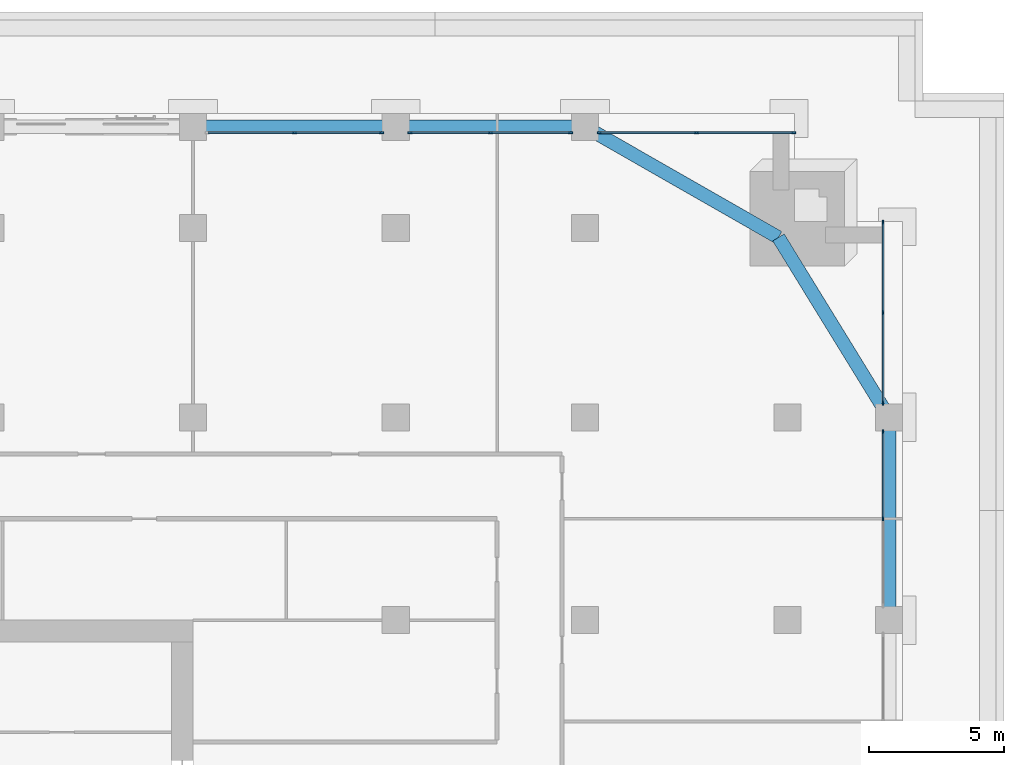
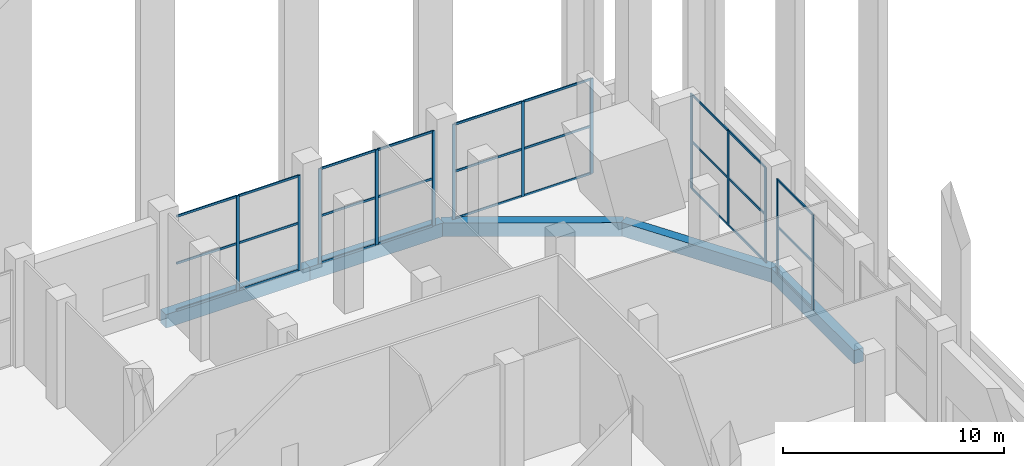
# One storey, part 9 of 23: 40 members, 5 beams, 5 elements without a shape of their own.
"""IFC4 building model written with IfcOpenShell, lengths in metres."""

from ifc_helpers import new_model, si_unit, direction, frame, origin, origin_2d, place, context, subcontext, project, spatial, rectangle, extrude, material, layer, layer_set, material_profile, profile_set, type_object, element, aggregate, save


model = new_model("IFC4")

# Units and contexts
model_context = context("Model", 3, precision=1e-05, world=origin(), true_north=direction((0.0, 1.0)))
body_context = subcontext(model_context, "Body", "Model", "MODEL_VIEW")
ifc_project = project(units=[si_unit("LENGTHUNIT", "METRE"), si_unit("AREAUNIT", "SQUARE_METRE"), si_unit("VOLUMEUNIT", "CUBIC_METRE"), si_unit("PLANEANGLEUNIT", "RADIAN"), si_unit("MASSUNIT", "GRAM", prefix="KILO")], contexts=[model_context])

# Site, building, storey
site_placement = place(None, origin())
site = spatial("IfcSite", under=ifc_project, at=site_placement, CompositionType="ELEMENT")
building_placement = place(site_placement, origin())
building = spatial("IfcBuilding", under=site, at=building_placement, Name="Tamorin Gate", CompositionType="ELEMENT")
storey_placement = place(building_placement, frame((0.0, 0.0, 124.199951171875)))
storey = spatial("IfcBuildingStorey", under=building, at=storey_placement, Name="L30", CompositionType="ELEMENT", Elevation=124.199951171875)

# Curtain wall, members
ifc_material_1 = material(Name="Aluminium mullions and transoms with clear glass", Category="aluminium")
ifc_layer = layer(ifc_material_1, 0.159912109375)
ifc_layer_set = layer_set([ifc_layer], Name="Curtain wall system CW1")
curtain_wall_type = type_object("IfcCurtainWallType", Name="Curtain wall system CW1", PredefinedType="NOTDEFINED", material=ifc_layer_set)
curtain_wall_1_placement = place(storey_placement, origin())
curtain_wall_1 = element("IfcCurtainWall", 1, at=curtain_wall_1_placement, inside=storey, type_object=curtain_wall_type, Name="Curtain wall", PredefinedType="NOTDEFINED")
ifc_material_2 = material(Name="Aluminium", Category="aluminium")
ifc_material_profile_1 = material_profile(ifc_material_2, rectangle(XDim=0.06005859375, YDim=0.159912109375, at=origin_2d()), Name="RECT 60x160")
ifc_profile_set_1 = profile_set([ifc_material_profile_1], Name="Aluminium")
member_type_1 = type_object("IfcMemberType", Name="Aluminium mullion 60x160", PredefinedType="MULLION", material=ifc_profile_set_1)
member_1_placement = place(storey_placement, frame((85.530029296875, 86.25, 0.0), z_axis=(0.0, 0.0, 1.0), x_axis=(-1.0, 0.0, 0.0)))
member_1 = element("IfcMember", 2, at=member_1_placement, type_object=member_type_1, Name="CW1 mullion 2", PredefinedType="MULLION", context=body_context, shape_type="SweptSolid", body=[
    extrude(rectangle(XDim=0.06005859375, YDim=0.159912109375, at=origin_2d()), origin(), (0.0, 0.0, 1.0), 5.25),
])
member_2_placement = place(storey_placement, frame((85.530029296875, 89.469970703125, 0.0), z_axis=(0.0, 0.0, 1.0), x_axis=(-1.0, 0.0, 0.0)))
member_2 = element("IfcMember", 3, at=member_2_placement, type_object=member_type_1, Name="CW1 mullion 3", PredefinedType="MULLION", context=body_context, shape_type="SweptSolid", body=[
    extrude(rectangle(XDim=0.06005859375, YDim=0.159912109375, at=origin_2d()), origin(), (0.0, 0.0, 1.0), 5.25),
])

curtain_wall_2_placement = place(storey_placement, origin())
curtain_wall_2 = element("IfcCurtainWall", 4, at=curtain_wall_2_placement, inside=storey, type_object=curtain_wall_type, Name="Curtain wall", PredefinedType="NOTDEFINED")
member_3_placement = place(storey_placement, frame((85.530029296875, 90.530029296875, 0.0), z_axis=(0.0, 0.0, 1.0), x_axis=(-1.0, 0.0, 0.0)))
member_3 = element("IfcMember", 5, at=member_3_placement, type_object=member_type_1, Name="CW1 mullion 1", PredefinedType="MULLION", context=body_context, shape_type="SweptSolid", body=[
    extrude(rectangle(XDim=0.06005859375, YDim=0.159912109375, at=origin_2d()), origin(), (0.0, 0.0, 1.0), 5.25),
])
member_4_placement = place(storey_placement, frame((85.530029296875, 93.875, 0.0), z_axis=(0.0, 0.0, 1.0), x_axis=(-1.0, 0.0, 0.0)))
member_4 = element("IfcMember", 6, at=member_4_placement, type_object=member_type_1, Name="CW1 mullion 2", PredefinedType="MULLION", context=body_context, shape_type="SweptSolid", body=[
    extrude(rectangle(XDim=0.06005859375, YDim=0.159912109375, at=origin_2d()), origin(), (0.0, 0.0, 1.0), 5.25),
])
member_5_placement = place(storey_placement, frame((85.530029296875, 97.219970703125, 0.0), z_axis=(0.0, 0.0, 1.0), x_axis=(-1.0, 0.0, 0.0)))
member_5 = element("IfcMember", 7, at=member_5_placement, type_object=member_type_1, Name="CW1 mullion 3", PredefinedType="MULLION", context=body_context, shape_type="SweptSolid", body=[
    extrude(rectangle(XDim=0.06005859375, YDim=0.159912109375, at=origin_2d()), origin(), (0.0, 0.0, 1.0), 5.25),
])

curtain_wall_3_placement = place(storey_placement, origin())
curtain_wall_3 = element("IfcCurtainWall", 8, at=curtain_wall_3_placement, inside=storey, type_object=curtain_wall_type, Name="Curtain wall", PredefinedType="NOTDEFINED")
member_6_placement = place(storey_placement, frame((82.219970703125, 100.530029296875, 0.0), z_axis=(0.0, 0.0, 1.0), x_axis=(0.0, -1.0, 0.0)))
member_6 = element("IfcMember", 9, at=member_6_placement, type_object=member_type_1, Name="CW1 mullion 1", PredefinedType="MULLION", context=body_context, shape_type="SweptSolid", body=[
    extrude(rectangle(XDim=0.06005859375, YDim=0.159912109375, at=origin_2d()), origin(), (0.0, 0.0, 1.0), 5.25),
])
member_7_placement = place(storey_placement, frame((78.625, 100.530029296875, 0.0), z_axis=(0.0, 0.0, 1.0), x_axis=(0.0, -1.0, 0.0)))
member_7 = element("IfcMember", 10, at=member_7_placement, type_object=member_type_1, Name="CW1 mullion 2", PredefinedType="MULLION", context=body_context, shape_type="SweptSolid", body=[
    extrude(rectangle(XDim=0.06005859375, YDim=0.159912109375, at=origin_2d()), origin(), (0.0, 0.0, 1.0), 5.25),
])
member_8_placement = place(storey_placement, frame((75.030029296875, 100.530029296875, 0.0), z_axis=(0.0, 0.0, 1.0), x_axis=(0.0, -1.0, 0.0)))
member_8 = element("IfcMember", 11, at=member_8_placement, type_object=member_type_1, Name="CW1 mullion 3", PredefinedType="MULLION", context=body_context, shape_type="SweptSolid", body=[
    extrude(rectangle(XDim=0.06005859375, YDim=0.159912109375, at=origin_2d()), origin(), (0.0, 0.0, 1.0), 5.25),
])

curtain_wall_4_placement = place(storey_placement, origin())
curtain_wall_4 = element("IfcCurtainWall", 12, at=curtain_wall_4_placement, inside=storey, type_object=curtain_wall_type, Name="Curtain wall", PredefinedType="NOTDEFINED")
member_9_placement = place(storey_placement, frame((73.969970703125, 100.530029296875, 0.0), z_axis=(0.0, 0.0, 1.0), x_axis=(0.0, -1.0, 0.0)))
member_9 = element("IfcMember", 13, at=member_9_placement, type_object=member_type_1, Name="CW1 mullion 1", PredefinedType="MULLION", context=body_context, shape_type="SweptSolid", body=[
    extrude(rectangle(XDim=0.06005859375, YDim=0.159912109375, at=origin_2d()), origin(), (0.0, 0.0, 1.0), 5.25),
])
member_10_placement = place(storey_placement, frame((71.0, 100.530029296875, 0.0), z_axis=(0.0, 0.0, 1.0), x_axis=(0.0, -1.0, 0.0)))
member_10 = element("IfcMember", 14, at=member_10_placement, type_object=member_type_1, Name="CW1 mullion 2", PredefinedType="MULLION", context=body_context, shape_type="SweptSolid", body=[
    extrude(rectangle(XDim=0.06005859375, YDim=0.159912109375, at=origin_2d()), origin(), (0.0, 0.0, 1.0), 5.25),
])
member_11_placement = place(storey_placement, frame((68.030029296875, 100.530029296875, 0.0), z_axis=(0.0, 0.0, 1.0), x_axis=(0.0, -1.0, 0.0)))
member_11 = element("IfcMember", 15, at=member_11_placement, type_object=member_type_1, Name="CW1 mullion 3", PredefinedType="MULLION", context=body_context, shape_type="SweptSolid", body=[
    extrude(rectangle(XDim=0.06005859375, YDim=0.159912109375, at=origin_2d()), origin(), (0.0, 0.0, 1.0), 5.25),
])

curtain_wall_5_placement = place(storey_placement, origin())
curtain_wall_5 = element("IfcCurtainWall", 16, at=curtain_wall_5_placement, inside=storey, type_object=curtain_wall_type, Name="Curtain wall", PredefinedType="NOTDEFINED")
member_12_placement = place(storey_placement, frame((66.969970703125, 100.530029296875, 0.0), z_axis=(0.0, 0.0, 1.0), x_axis=(0.0, -1.0, 0.0)))
member_12 = element("IfcMember", 17, at=member_12_placement, type_object=member_type_1, Name="CW1 mullion 1", PredefinedType="MULLION", context=body_context, shape_type="SweptSolid", body=[
    extrude(rectangle(XDim=0.06005859375, YDim=0.159912109375, at=origin_2d()), origin(), (0.0, 0.0, 1.0), 5.25),
])
member_13_placement = place(storey_placement, frame((63.75, 100.530029296875, 0.0), z_axis=(0.0, 0.0, 1.0), x_axis=(0.0, -1.0, 0.0)))
member_13 = element("IfcMember", 18, at=member_13_placement, type_object=member_type_1, Name="CW1 mullion 2", PredefinedType="MULLION", context=body_context, shape_type="SweptSolid", body=[
    extrude(rectangle(XDim=0.06005859375, YDim=0.159912109375, at=origin_2d()), origin(), (0.0, 0.0, 1.0), 5.25),
])

# Member
ifc_material_profile_2 = material_profile(ifc_material_2, rectangle(XDim=0.06005859375, YDim=0.1201171875, at=origin_2d()), Name="RECT 60x120")
ifc_profile_set_2 = profile_set([ifc_material_profile_2], Name="Aluminium")
member_type_2 = type_object("IfcMemberType", Name="Aluminium transom 60x120", PredefinedType="USERDEFINED", material=ifc_profile_set_2)
member_14_placement = place(storey_placement, frame((85.530029296875, 86.280029296875, 0.030029296875), z_axis=(0.0, 1.0, 0.0), x_axis=(-1.0, 0.0, 0.0)))
member_14 = element("IfcMember", 19, at=member_14_placement, type_object=member_type_2, Name="CW1 transom 2.1", ObjectType="TRANSOM", PredefinedType="USERDEFINED", context=body_context, shape_type="SweptSolid", body=[
    extrude(rectangle(XDim=0.06005859375, YDim=0.1201171875, at=origin_2d()), origin(), (0.0, 0.0, 1.0), 3.159912109375),
])

member_15_placement = place(storey_placement, frame((85.530029296875, 86.280029296875, 2.625), z_axis=(0.0, 1.0, 0.0), x_axis=(-1.0, 0.0, 0.0)))
member_15 = element("IfcMember", 20, at=member_15_placement, type_object=member_type_2, Name="CW1 transom 2.2", ObjectType="TRANSOM", PredefinedType="USERDEFINED", context=body_context, shape_type="SweptSolid", body=[
    extrude(rectangle(XDim=0.06005859375, YDim=0.1201171875, at=origin_2d()), origin(), (0.0, 0.0, 1.0), 3.159912109375),
])

member_16_placement = place(storey_placement, frame((85.530029296875, 86.280029296875, 5.219970703125), z_axis=(0.0, 1.0, 0.0), x_axis=(-1.0, 0.0, 0.0)))
member_16 = element("IfcMember", 21, at=member_16_placement, type_object=member_type_2, Name="CW1 transom 2.3", ObjectType="TRANSOM", PredefinedType="USERDEFINED", context=body_context, shape_type="SweptSolid", body=[
    extrude(rectangle(XDim=0.06005859375, YDim=0.1201171875, at=origin_2d()), origin(), (0.0, 0.0, 1.0), 3.159912109375),
])

aggregate(curtain_wall_1, [member_1, member_2, member_14, member_15, member_16])

member_17_placement = place(storey_placement, frame((85.530029296875, 90.56005859375, 0.030029296875), z_axis=(0.0, 1.0, 0.0), x_axis=(-1.0, 0.0, 0.0)))
member_17 = element("IfcMember", 22, at=member_17_placement, type_object=member_type_2, Name="CW1 transom 1.1", ObjectType="TRANSOM", PredefinedType="USERDEFINED", context=body_context, shape_type="SweptSolid", body=[
    extrude(rectangle(XDim=0.06005859375, YDim=0.1201171875, at=origin_2d()), origin(), (0.0, 0.0, 1.0), 3.284912109375),
])

member_18_placement = place(storey_placement, frame((85.530029296875, 90.56005859375, 2.625), z_axis=(0.0, 1.0, 0.0), x_axis=(-1.0, 0.0, 0.0)))
member_18 = element("IfcMember", 23, at=member_18_placement, type_object=member_type_2, Name="CW1 transom 1.2", ObjectType="TRANSOM", PredefinedType="USERDEFINED", context=body_context, shape_type="SweptSolid", body=[
    extrude(rectangle(XDim=0.06005859375, YDim=0.1201171875, at=origin_2d()), origin(), (0.0, 0.0, 1.0), 3.284912109375),
])

member_19_placement = place(storey_placement, frame((85.530029296875, 90.56005859375, 5.219970703125), z_axis=(0.0, 1.0, 0.0), x_axis=(-1.0, 0.0, 0.0)))
member_19 = element("IfcMember", 24, at=member_19_placement, type_object=member_type_2, Name="CW1 transom 1.3", ObjectType="TRANSOM", PredefinedType="USERDEFINED", context=body_context, shape_type="SweptSolid", body=[
    extrude(rectangle(XDim=0.06005859375, YDim=0.1201171875, at=origin_2d()), origin(), (0.0, 0.0, 1.0), 3.284912109375),
])

member_20_placement = place(storey_placement, frame((85.530029296875, 93.905029296875, 0.030029296875), z_axis=(0.0, 1.0, 0.0), x_axis=(-1.0, 0.0, 0.0)))
member_20 = element("IfcMember", 25, at=member_20_placement, type_object=member_type_2, Name="CW1 transom 2.1", ObjectType="TRANSOM", PredefinedType="USERDEFINED", context=body_context, shape_type="SweptSolid", body=[
    extrude(rectangle(XDim=0.06005859375, YDim=0.1201171875, at=origin_2d()), origin(), (0.0, 0.0, 1.0), 3.284912109375),
])

member_21_placement = place(storey_placement, frame((85.530029296875, 93.905029296875, 2.625), z_axis=(0.0, 1.0, 0.0), x_axis=(-1.0, 0.0, 0.0)))
member_21 = element("IfcMember", 26, at=member_21_placement, type_object=member_type_2, Name="CW1 transom 2.2", ObjectType="TRANSOM", PredefinedType="USERDEFINED", context=body_context, shape_type="SweptSolid", body=[
    extrude(rectangle(XDim=0.06005859375, YDim=0.1201171875, at=origin_2d()), origin(), (0.0, 0.0, 1.0), 3.284912109375),
])

member_22_placement = place(storey_placement, frame((85.530029296875, 93.905029296875, 5.219970703125), z_axis=(0.0, 1.0, 0.0), x_axis=(-1.0, 0.0, 0.0)))
member_22 = element("IfcMember", 27, at=member_22_placement, type_object=member_type_2, Name="CW1 transom 2.3", ObjectType="TRANSOM", PredefinedType="USERDEFINED", context=body_context, shape_type="SweptSolid", body=[
    extrude(rectangle(XDim=0.06005859375, YDim=0.1201171875, at=origin_2d()), origin(), (0.0, 0.0, 1.0), 3.284912109375),
])

aggregate(curtain_wall_2, [member_3, member_4, member_5, member_17, member_18, member_19, member_20, member_21, member_22])

member_23_placement = place(storey_placement, frame((82.18994140625, 100.530029296875, 0.030029296875), z_axis=(-1.0, 0.0, 0.0), x_axis=(0.0, -1.0, 0.0)))
member_23 = element("IfcMember", 28, at=member_23_placement, type_object=member_type_2, Name="CW1 transom 1.1", ObjectType="TRANSOM", PredefinedType="USERDEFINED", context=body_context, shape_type="SweptSolid", body=[
    extrude(rectangle(XDim=0.06005859375, YDim=0.1201171875, at=origin_2d()), origin(), (0.0, 0.0, 1.0), 3.534912109375),
])

member_24_placement = place(storey_placement, frame((82.18994140625, 100.530029296875, 2.625), z_axis=(-1.0, 0.0, 0.0), x_axis=(0.0, -1.0, 0.0)))
member_24 = element("IfcMember", 29, at=member_24_placement, type_object=member_type_2, Name="CW1 transom 1.2", ObjectType="TRANSOM", PredefinedType="USERDEFINED", context=body_context, shape_type="SweptSolid", body=[
    extrude(rectangle(XDim=0.06005859375, YDim=0.1201171875, at=origin_2d()), origin(), (0.0, 0.0, 1.0), 3.534912109375),
])

member_25_placement = place(storey_placement, frame((82.18994140625, 100.530029296875, 5.219970703125), z_axis=(-1.0, 0.0, 0.0), x_axis=(0.0, -1.0, 0.0)))
member_25 = element("IfcMember", 30, at=member_25_placement, type_object=member_type_2, Name="CW1 transom 1.3", ObjectType="TRANSOM", PredefinedType="USERDEFINED", context=body_context, shape_type="SweptSolid", body=[
    extrude(rectangle(XDim=0.06005859375, YDim=0.1201171875, at=origin_2d()), origin(), (0.0, 0.0, 1.0), 3.534912109375),
])

member_26_placement = place(storey_placement, frame((78.594970703125, 100.530029296875, 0.030029296875), z_axis=(-1.0, 0.0, 0.0), x_axis=(0.0, -1.0, 0.0)))
member_26 = element("IfcMember", 31, at=member_26_placement, type_object=member_type_2, Name="CW1 transom 2.1", ObjectType="TRANSOM", PredefinedType="USERDEFINED", context=body_context, shape_type="SweptSolid", body=[
    extrude(rectangle(XDim=0.06005859375, YDim=0.1201171875, at=origin_2d()), origin(), (0.0, 0.0, 1.0), 3.534912109375),
])

member_27_placement = place(storey_placement, frame((78.594970703125, 100.530029296875, 2.625), z_axis=(-1.0, 0.0, 0.0), x_axis=(0.0, -1.0, 0.0)))
member_27 = element("IfcMember", 32, at=member_27_placement, type_object=member_type_2, Name="CW1 transom 2.2", ObjectType="TRANSOM", PredefinedType="USERDEFINED", context=body_context, shape_type="SweptSolid", body=[
    extrude(rectangle(XDim=0.06005859375, YDim=0.1201171875, at=origin_2d()), origin(), (0.0, 0.0, 1.0), 3.534912109375),
])

member_28_placement = place(storey_placement, frame((78.594970703125, 100.530029296875, 5.219970703125), z_axis=(-1.0, 0.0, 0.0), x_axis=(0.0, -1.0, 0.0)))
member_28 = element("IfcMember", 33, at=member_28_placement, type_object=member_type_2, Name="CW1 transom 2.3", ObjectType="TRANSOM", PredefinedType="USERDEFINED", context=body_context, shape_type="SweptSolid", body=[
    extrude(rectangle(XDim=0.06005859375, YDim=0.1201171875, at=origin_2d()), origin(), (0.0, 0.0, 1.0), 3.534912109375),
])

aggregate(curtain_wall_3, [member_6, member_7, member_8, member_23, member_24, member_25, member_26, member_27, member_28])

member_29_placement = place(storey_placement, frame((73.93994140625, 100.530029296875, 0.030029296875), z_axis=(-1.0, 0.0, 0.0), x_axis=(0.0, -1.0, 0.0)))
member_29 = element("IfcMember", 34, at=member_29_placement, type_object=member_type_2, Name="CW1 transom 1.1", ObjectType="TRANSOM", PredefinedType="USERDEFINED", context=body_context, shape_type="SweptSolid", body=[
    extrude(rectangle(XDim=0.06005859375, YDim=0.1201171875, at=origin_2d()), origin(), (0.0, 0.0, 1.0), 2.909912109375),
])

member_30_placement = place(storey_placement, frame((73.93994140625, 100.530029296875, 2.625), z_axis=(-1.0, 0.0, 0.0), x_axis=(0.0, -1.0, 0.0)))
member_30 = element("IfcMember", 35, at=member_30_placement, type_object=member_type_2, Name="CW1 transom 1.2", ObjectType="TRANSOM", PredefinedType="USERDEFINED", context=body_context, shape_type="SweptSolid", body=[
    extrude(rectangle(XDim=0.06005859375, YDim=0.1201171875, at=origin_2d()), origin(), (0.0, 0.0, 1.0), 2.909912109375),
])

member_31_placement = place(storey_placement, frame((73.93994140625, 100.530029296875, 5.219970703125), z_axis=(-1.0, 0.0, 0.0), x_axis=(0.0, -1.0, 0.0)))
member_31 = element("IfcMember", 36, at=member_31_placement, type_object=member_type_2, Name="CW1 transom 1.3", ObjectType="TRANSOM", PredefinedType="USERDEFINED", context=body_context, shape_type="SweptSolid", body=[
    extrude(rectangle(XDim=0.06005859375, YDim=0.1201171875, at=origin_2d()), origin(), (0.0, 0.0, 1.0), 2.909912109375),
])

member_32_placement = place(storey_placement, frame((70.969970703125, 100.530029296875, 0.030029296875), z_axis=(-1.0, 0.0, 0.0), x_axis=(0.0, -1.0, 0.0)))
member_32 = element("IfcMember", 37, at=member_32_placement, type_object=member_type_2, Name="CW1 transom 2.1", ObjectType="TRANSOM", PredefinedType="USERDEFINED", context=body_context, shape_type="SweptSolid", body=[
    extrude(rectangle(XDim=0.06005859375, YDim=0.1201171875, at=origin_2d()), origin(), (0.0, 0.0, 1.0), 2.909912109375),
])

member_33_placement = place(storey_placement, frame((70.969970703125, 100.530029296875, 2.625), z_axis=(-1.0, 0.0, 0.0), x_axis=(0.0, -1.0, 0.0)))
member_33 = element("IfcMember", 38, at=member_33_placement, type_object=member_type_2, Name="CW1 transom 2.2", ObjectType="TRANSOM", PredefinedType="USERDEFINED", context=body_context, shape_type="SweptSolid", body=[
    extrude(rectangle(XDim=0.06005859375, YDim=0.1201171875, at=origin_2d()), origin(), (0.0, 0.0, 1.0), 2.909912109375),
])

member_34_placement = place(storey_placement, frame((70.969970703125, 100.530029296875, 5.219970703125), z_axis=(-1.0, 0.0, 0.0), x_axis=(0.0, -1.0, 0.0)))
member_34 = element("IfcMember", 39, at=member_34_placement, type_object=member_type_2, Name="CW1 transom 2.3", ObjectType="TRANSOM", PredefinedType="USERDEFINED", context=body_context, shape_type="SweptSolid", body=[
    extrude(rectangle(XDim=0.06005859375, YDim=0.1201171875, at=origin_2d()), origin(), (0.0, 0.0, 1.0), 2.909912109375),
])

aggregate(curtain_wall_4, [member_9, member_10, member_11, member_29, member_30, member_31, member_32, member_33, member_34])

member_35_placement = place(storey_placement, frame((66.93994140625, 100.530029296875, 0.030029296875), z_axis=(-1.0, 0.0, 0.0), x_axis=(0.0, -1.0, 0.0)))
member_35 = element("IfcMember", 40, at=member_35_placement, type_object=member_type_2, Name="CW1 transom 1.1", ObjectType="TRANSOM", PredefinedType="USERDEFINED", context=body_context, shape_type="SweptSolid", body=[
    extrude(rectangle(XDim=0.06005859375, YDim=0.1201171875, at=origin_2d()), origin(), (0.0, 0.0, 1.0), 3.159912109375),
])

member_36_placement = place(storey_placement, frame((66.93994140625, 100.530029296875, 2.625), z_axis=(-1.0, 0.0, 0.0), x_axis=(0.0, -1.0, 0.0)))
member_36 = element("IfcMember", 41, at=member_36_placement, type_object=member_type_2, Name="CW1 transom 1.2", ObjectType="TRANSOM", PredefinedType="USERDEFINED", context=body_context, shape_type="SweptSolid", body=[
    extrude(rectangle(XDim=0.06005859375, YDim=0.1201171875, at=origin_2d()), origin(), (0.0, 0.0, 1.0), 3.159912109375),
])

member_37_placement = place(storey_placement, frame((66.93994140625, 100.530029296875, 5.219970703125), z_axis=(-1.0, 0.0, 0.0), x_axis=(0.0, -1.0, 0.0)))
member_37 = element("IfcMember", 42, at=member_37_placement, type_object=member_type_2, Name="CW1 transom 1.3", ObjectType="TRANSOM", PredefinedType="USERDEFINED", context=body_context, shape_type="SweptSolid", body=[
    extrude(rectangle(XDim=0.06005859375, YDim=0.1201171875, at=origin_2d()), origin(), (0.0, 0.0, 1.0), 3.159912109375),
])

member_38_placement = place(storey_placement, frame((63.719970703125, 100.530029296875, 0.030029296875), z_axis=(-1.0, 0.0, 0.0), x_axis=(0.0, -1.0, 0.0)))
member_38 = element("IfcMember", 43, at=member_38_placement, type_object=member_type_2, Name="CW1 transom 2.1", ObjectType="TRANSOM", PredefinedType="USERDEFINED", context=body_context, shape_type="SweptSolid", body=[
    extrude(rectangle(XDim=0.06005859375, YDim=0.1201171875, at=origin_2d()), origin(), (0.0, 0.0, 1.0), 3.159912109375),
])

member_39_placement = place(storey_placement, frame((63.719970703125, 100.530029296875, 2.625), z_axis=(-1.0, 0.0, 0.0), x_axis=(0.0, -1.0, 0.0)))
member_39 = element("IfcMember", 44, at=member_39_placement, type_object=member_type_2, Name="CW1 transom 2.2", ObjectType="TRANSOM", PredefinedType="USERDEFINED", context=body_context, shape_type="SweptSolid", body=[
    extrude(rectangle(XDim=0.06005859375, YDim=0.1201171875, at=origin_2d()), origin(), (0.0, 0.0, 1.0), 3.159912109375),
])

member_40_placement = place(storey_placement, frame((63.719970703125, 100.530029296875, 5.219970703125), z_axis=(-1.0, 0.0, 0.0), x_axis=(0.0, -1.0, 0.0)))
member_40 = element("IfcMember", 45, at=member_40_placement, type_object=member_type_2, Name="CW1 transom 2.3", ObjectType="TRANSOM", PredefinedType="USERDEFINED", context=body_context, shape_type="SweptSolid", body=[
    extrude(rectangle(XDim=0.06005859375, YDim=0.1201171875, at=origin_2d()), origin(), (0.0, 0.0, 1.0), 3.159912109375),
])

aggregate(curtain_wall_5, [member_12, member_13, member_35, member_36, member_37, member_38, member_39, member_40])

# Beams
ifc_material_3 = material(Name="Concrete C50/60", Category="concrete")
ifc_material_profile_3 = material_profile(ifc_material_3, rectangle(XDim=0.5, YDim=0.75, at=origin_2d()), Name="RC 500x750")
ifc_profile_set_3 = profile_set([ifc_material_profile_3], Name="Concrete C50/60")
beam_type = type_object("IfcBeamType", Name="RC spandrel 500x750 C50/60", PredefinedType="BEAM", material=ifc_profile_set_3)
beam_1_placement = place(storey_placement, frame((85.75, 82.5, -0.375), z_axis=(0.0, 1.0, 0.0), x_axis=(-1.0, 0.0, 0.0)))
element("IfcBeam", 46, at=beam_1_placement, inside=storey, type_object=beam_type, Name="Spandrel beam L30", PredefinedType="BEAM", context=body_context, shape_type="SweptSolid", body=[
    extrude(rectangle(XDim=0.5, YDim=0.75, at=origin_2d()), origin(), (0.0, 0.0, 1.0), 7.5),
])
beam_2_placement = place(storey_placement, frame((74.5, 100.75, -0.375), z_axis=(-1.0, 0.0, 0.0), x_axis=(0.0, -1.0, 0.0)))
element("IfcBeam", 47, at=beam_2_placement, inside=storey, type_object=beam_type, Name="Spandrel beam L30", PredefinedType="BEAM", context=body_context, shape_type="SweptSolid", body=[
    extrude(rectangle(XDim=0.5, YDim=0.75, at=origin_2d()), origin(), (0.0, 0.0, 1.0), 7.0),
])
beam_3_placement = place(storey_placement, frame((67.5, 100.75, -0.375), z_axis=(-1.0, 0.0, 0.0), x_axis=(0.0, -1.0, 0.0)))
element("IfcBeam", 48, at=beam_3_placement, inside=storey, type_object=beam_type, Name="Spandrel beam L30", PredefinedType="BEAM", context=body_context, shape_type="SweptSolid", body=[
    extrude(rectangle(XDim=0.5, YDim=0.75, at=origin_2d()), origin(), (0.0, 0.0, 1.0), 7.5),
])
beam_4_placement = place(storey_placement, frame((81.65625, 96.65625, -0.375), z_axis=(0.523874285255, -0.851795593583, 0.0), x_axis=(0.851795593583, 0.523874285255, 0.0)))
element("IfcBeam", 49, at=beam_4_placement, inside=storey, type_object=beam_type, Name="Corner tie beam L30", PredefinedType="BEAM", context=body_context, shape_type="SweptSolid", body=[
    extrude(rectangle(XDim=0.5, YDim=0.75, at=origin_2d()), origin(), (0.0, 0.0, 1.0), 7.814453125),
])
beam_5_placement = place(storey_placement, frame((81.65625, 96.65625, -0.375), z_axis=(-0.868009788582, 0.496547084298, 0.0), x_axis=(-0.496547084298, -0.868009788582, 0.0)))
element("IfcBeam", 50, at=beam_5_placement, inside=storey, type_object=beam_type, Name="Corner tie beam L30", PredefinedType="BEAM", context=body_context, shape_type="SweptSolid", body=[
    extrude(rectangle(XDim=0.5, YDim=0.75, at=origin_2d()), origin(), (0.0, 0.0, 1.0), 8.244384765625),
])

save(model, "model.ifc")
